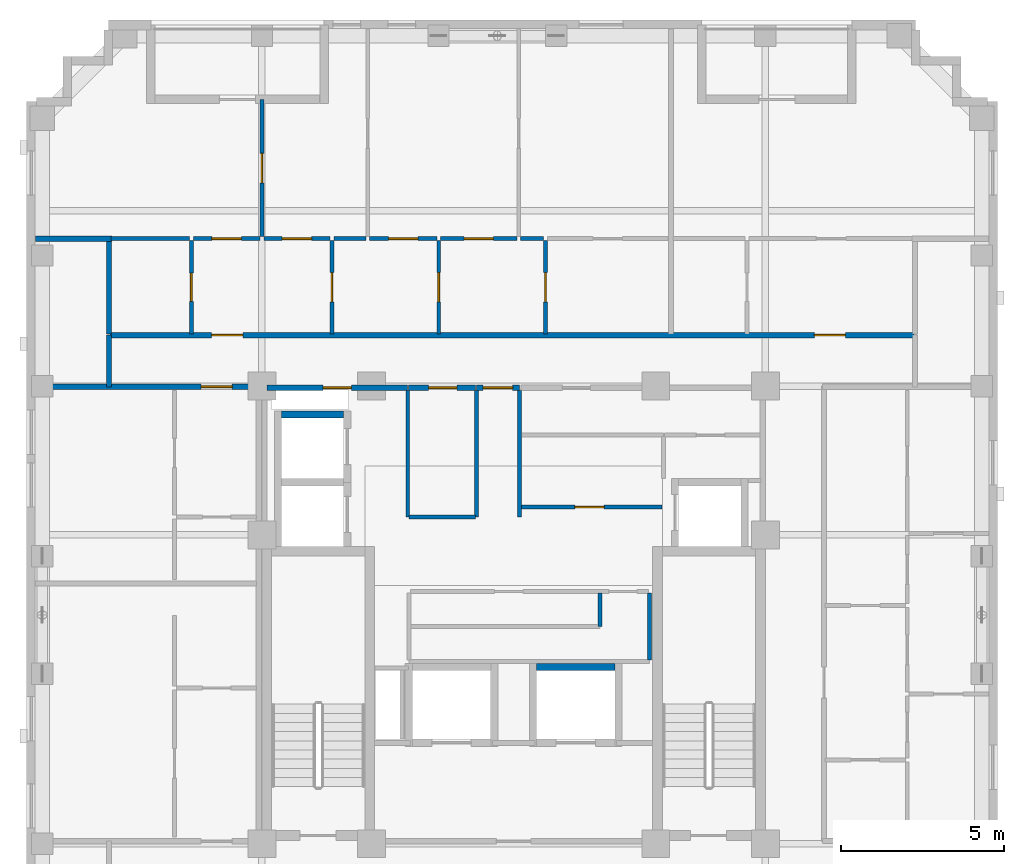
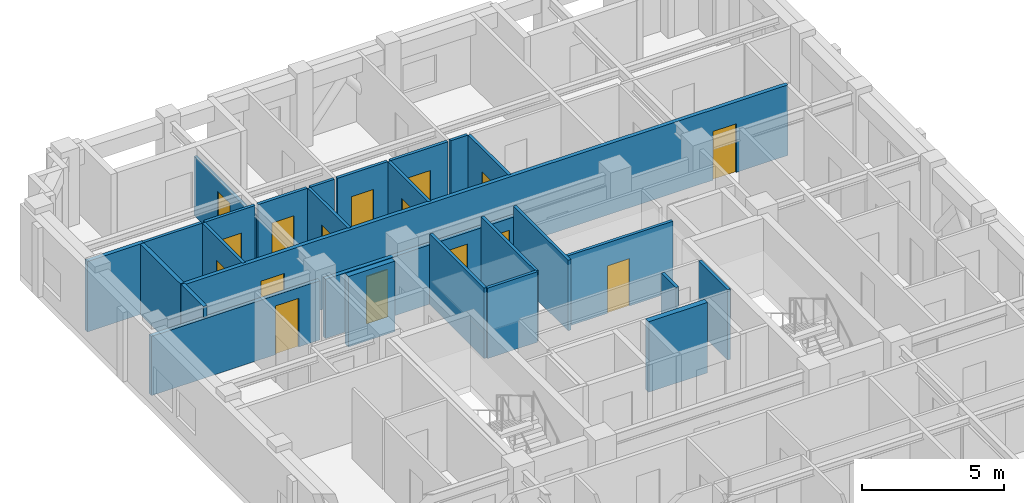
# One storey, part 5 of 10: 29 walls, 16 doors, 16 openings.
"""IFC4 building model written with IfcOpenShell, lengths in metres."""

from ifc_helpers import new_model, si_unit, derived_unit, direction, frame, frame_2d, origin, place, context, subcontext, project, spatial, rectangle, extrude, material, layer, layer_set, type_object, element, fill, save


model = new_model("IFC4")

# Units and contexts
model_context = context("Model", 3, precision=1e-05, world=origin(), true_north=direction((0.0, 1.0)))
body_context = subcontext(model_context, "Body", "Model", "MODEL_VIEW")
ifc_project = project(units=[si_unit("LENGTHUNIT", "METRE"), si_unit("AREAUNIT", "SQUARE_METRE"), si_unit("VOLUMEUNIT", "CUBIC_METRE"), si_unit("PLANEANGLEUNIT", "RADIAN"), si_unit("MASSUNIT", "GRAM", prefix="KILO"), derived_unit("THERMALTRANSMITTANCEUNIT", [(si_unit("MASSUNIT", "GRAM", prefix="KILO"), 1), (si_unit("TIMEUNIT", "SECOND"), -3), (si_unit("THERMODYNAMICTEMPERATUREUNIT", "KELVIN"), -1)])], contexts=[model_context])

# Site, building, storey
site_placement = place(None, origin())
site = spatial("IfcSite", under=ifc_project, at=site_placement, CompositionType="ELEMENT")
building_placement = place(site_placement, origin())
building = spatial("IfcBuilding", under=site, at=building_placement, Name="Korrvale Station Residences", CompositionType="ELEMENT")
storey_placement = place(building_placement, frame((0.0, 0.0, 200.800048828125)))
storey = spatial("IfcBuildingStorey", under=building, at=storey_placement, Name="L58", CompositionType="ELEMENT", Elevation=200.800048828125)

# Walls
ifc_material_1 = material(Name="Acoustic steel-stud gypsum board partition", Category="steel")
ifc_layer_1 = layer(ifc_material_1, 0.1201171875, Name="Acoustic steel-stud gypsum board partition")
ifc_layer_set_1 = layer_set([ifc_layer_1], Name="Acoustic steel-stud gypsum board partition")
wall_type_1 = type_object("IfcWallType", Name="WAL-PART-125", PredefinedType="PARTITIONING", material=ifc_layer_set_1)
for number, where, z_axis, x_axis, name in (
    (1, (24.360107421875, 25.0, 0.0), (0.0, 0.0, 1.0), (0.0, 1.0, 0.0), "L58 Core Partition CW-PSG-W"),
    (2, (25.679931640625, 25.0, 0.0), (0.0, 0.0, 1.0), (0.0, 1.0, 0.0), "L58 Core Partition CW-PSG-E"),
):
    element("IfcWall", number, at=place(storey_placement, frame(where, z_axis=z_axis, x_axis=x_axis)), inside=storey, type_object=wall_type_1, Name=name, PredefinedType="PARTITIONING", context=body_context, shape_type="SweptSolid", body=[
        extrude(rectangle(XDim=3.8701171875, YDim=0.1201171875, at=frame_2d((1.93505859375, 0.0))), origin(), (0.0, 0.0, 1.0), 3.0400390625),
    ])
wall_1_placement = place(storey_placement, frame((22.260009765625, 25.0, 0.0), z_axis=(0.0, 0.0, 1.0), x_axis=(0.0, 1.0, 0.0)))
element("IfcWall", 3, at=wall_1_placement, inside=storey, type_object=wall_type_1, Name="L58 Core Partition CW-FPLW-W", PredefinedType="PARTITIONING", context=body_context, shape_type="SweptSolid", body=[
    extrude(rectangle(XDim=3.860107421875, YDim=0.1201171875, at=frame_2d((1.93017578125, 0.0))), origin(), (0.0, 0.0, 1.0), 3.0400390625),
])
wall_2_placement = place(storey_placement, frame((22.300048828125, 25.0, 0.0), z_axis=(0.0, 0.0, 1.0), x_axis=(1.0, 0.0, 0.0)))
element("IfcWall", 4, at=wall_2_placement, inside=storey, type_object=wall_type_1, Name="L58 Core Partition CW-FPLW-S", PredefinedType="PARTITIONING", context=body_context, shape_type="SweptSolid", body=[
    extrude(rectangle(XDim=2.0400390625, YDim=0.1201171875, at=frame_2d((1.02001953125, 0.0))), origin(), (0.0, 0.0, 1.0), 3.0400390625),
])

# Wall, opening, door
wall_3_placement = place(storey_placement, frame((25.719970703125, 25.300048828125, 0.0), z_axis=(0.0, 0.0, 1.0), x_axis=(1.0, 0.0, 0.0)))
wall_3 = element("IfcWall", 5, at=wall_3_placement, inside=storey, type_object=wall_type_1, Name="L58 Core Partition CW-FPLE-S", PredefinedType="PARTITIONING", context=body_context, shape_type="SweptSolid", body=[
    extrude(rectangle(XDim=4.320068359375, YDim=0.1201171875, at=frame_2d((2.16015625, 0.0))), origin(), (0.0, 0.0, 1.0), 3.0400390625),
])
opening_1_placement = place(wall_3_placement, frame((1.64990234375, 0.0, 0.0)))
opening_1 = element("IfcOpeningElement", 6, at=opening_1_placement, cuts=wall_3, Name="Opening DI-900", PredefinedType="OPENING", context=body_context, shape_type="SweptSolid", body=[
    extrude(rectangle(XDim=0.89990234375, YDim=2.050048828125, at=frame_2d((0.449951171875, 1.02490234375))), frame((0.0, 0.070068359375, 0.0), z_axis=(0.0, -1.0, 0.0), x_axis=(1.0, 0.0, 0.0)), (0.0, 0.0, 1.0), 0.14013671875),
])
ifc_material_2 = material(Name="Painted solid-core timber interior room door", Category="wood")
door_type_1 = type_object("IfcDoorType", Name="DR-INT-900", OperationType="NOTDEFINED", PredefinedType="DOOR", material=ifc_material_2)
door_1_placement = place(opening_1_placement, origin())
door_1 = element("IfcDoor", 7, at=door_1_placement, inside=storey, type_object=door_type_1, Name="L58 Housekeeping Linen Door", OperationType="SINGLE_SWING_LEFT", OverallHeight=2.050048828125, OverallWidth=0.89990234375, PredefinedType="DOOR", context=body_context, shape_type="SweptSolid", body=[
    extrude(rectangle(XDim=0.89990234375, YDim=2.050048828125, at=frame_2d((0.449951171875, 1.02490234375))), frame((0.0, 0.02490234375, 0.0), z_axis=(0.0, -1.0, 0.0), x_axis=(1.0, 0.0, 0.0)), (0.0, 0.0, 1.0), 0.050048828125),
])
fill(opening_1, door_1)

# Walls
wall_4_placement = place(storey_placement, frame((29.659912109375, 20.6201171875, 0.0), z_axis=(0.0, 0.0, 1.0), x_axis=(0.0, 1.0, 0.0)))
element("IfcWall", 8, at=wall_4_placement, inside=storey, type_object=wall_type_1, Name="L58 Core Partition CW-FPM-E", PredefinedType="PARTITIONING", context=body_context, shape_type="SweptSolid", body=[
    extrude(rectangle(XDim=2.059814453125, YDim=0.1201171875, at=frame_2d((1.02978515625, 0.0))), origin(), (0.0, 0.0, 1.0), 3.0400390625),
])
wall_5_placement = place(storey_placement, frame((28.139892578125, 21.64990234375, 0.0), z_axis=(0.0, 0.0, 1.0), x_axis=(0.0, 1.0, 0.0)))
element("IfcWall", 9, at=wall_5_placement, inside=storey, type_object=wall_type_1, Name="L58 Core Partition CW-FPM-V1", PredefinedType="PARTITIONING", context=body_context, shape_type="SweptSolid", body=[
    extrude(rectangle(XDim=1.030029296875, YDim=0.1201171875, at=frame_2d((0.51513671875, 0.0))), origin(), (0.0, 0.0, 1.0), 3.0400390625),
])

# Wall, opening, door
wall_6_placement = place(storey_placement, frame((15.639892578125, 30.60009765625, 0.0), z_axis=(0.0, 0.0, 1.0), x_axis=(0.0, 1.0, 0.0)))
wall_6 = element("IfcWall", 10, at=wall_6_placement, inside=storey, type_object=wall_type_1, Name="L58 Suite Partition U04-V01", PredefinedType="PARTITIONING", context=body_context, shape_type="SweptSolid", body=[
    extrude(rectangle(XDim=2.849853515625, YDim=0.1201171875, at=frame_2d((1.4248046875, 0.0))), origin(), (0.0, 0.0, 1.0), 3.0400390625),
])
opening_2_placement = place(wall_6_placement, frame((0.9951171875, 0.0, 0.0)))
opening_2 = element("IfcOpeningElement", 11, at=opening_2_placement, cuts=wall_6, Name="Opening DB-860", PredefinedType="OPENING", context=body_context, shape_type="SweptSolid", body=[
    extrude(rectangle(XDim=0.860107421875, YDim=2.050048828125, at=frame_2d((0.43017578125, 1.02490234375))), frame((0.0, 0.070068359375, 0.0), z_axis=(0.0, -1.0, 0.0), x_axis=(1.0, 0.0, 0.0)), (0.0, 0.0, 1.0), 0.14013671875),
])
ifc_material_3 = material(Name="Moisture-resistant solid-core bathroom door", Category="timber")
door_type_2 = type_object("IfcDoorType", Name="DR-BATH-860", OperationType="NOTDEFINED", PredefinedType="DOOR", material=ifc_material_3)
door_2_placement = place(opening_2_placement, origin())
door_2 = element("IfcDoor", 12, at=door_2_placement, inside=storey, type_object=door_type_2, Name="L58 Apartment 2BR L58-U04 Bathroom Door", OperationType="SINGLE_SWING_LEFT", OverallHeight=2.050048828125, OverallWidth=0.860107421875, PredefinedType="DOOR", context=body_context, shape_type="SweptSolid", body=[
    extrude(rectangle(XDim=0.860107421875, YDim=2.050048828125, at=frame_2d((0.43017578125, 1.02490234375))), frame((0.0, 0.02490234375, 0.0), z_axis=(0.0, -1.0, 0.0), x_axis=(1.0, 0.0, 0.0)), (0.0, 0.0, 1.0), 0.050048828125),
])
fill(opening_2, door_2)

# Wall
wall_7_placement = place(storey_placement, frame((13.179931640625, 33.510009765625, 0.0), z_axis=(0.0, 0.0, 1.0), x_axis=(1.0, 0.0, 0.0)))
element("IfcWall", 13, at=wall_7_placement, inside=storey, type_object=wall_type_1, Name="L58 Suite Partition U04-H05", PredefinedType="PARTITIONING", context=body_context, shape_type="SweptSolid", body=[
    extrude(rectangle(XDim=2.400146484375, YDim=0.1201171875, at=frame_2d((1.2001953125, 0.0))), origin(), (0.0, 0.0, 1.0), 3.0400390625),
])

# Wall, opening, door
wall_8_placement = place(storey_placement, frame((19.93994140625, 30.60009765625, 0.0), z_axis=(0.0, 0.0, 1.0), x_axis=(0.0, 1.0, 0.0)))
wall_8 = element("IfcWall", 14, at=wall_8_placement, inside=storey, type_object=wall_type_1, Name="L58 Suite Partition U04-V12", PredefinedType="PARTITIONING", context=body_context, shape_type="SweptSolid", body=[
    extrude(rectangle(XDim=2.849853515625, YDim=0.1201171875, at=frame_2d((1.4248046875, 0.0))), origin(), (0.0, 0.0, 1.0), 3.0400390625),
])
opening_3_placement = place(wall_8_placement, frame((0.97509765625, 0.0, 0.0)))
opening_3 = element("IfcOpeningElement", 15, at=opening_3_placement, cuts=wall_8, Name="Opening DI-900", PredefinedType="OPENING", context=body_context, shape_type="SweptSolid", body=[
    extrude(rectangle(XDim=0.89990234375, YDim=2.050048828125, at=frame_2d((0.449951171875, 1.02490234375))), frame((0.0, 0.070068359375, 0.0), z_axis=(0.0, -1.0, 0.0), x_axis=(1.0, 0.0, 0.0)), (0.0, 0.0, 1.0), 0.14013671875),
])
door_3_placement = place(opening_3_placement, origin())
door_3 = element("IfcDoor", 16, at=door_3_placement, inside=storey, type_object=door_type_1, Name="L58 Apartment 2BR L58-U04 Kitchen Door", OperationType="SINGLE_SWING_RIGHT", OverallHeight=2.050048828125, OverallWidth=0.89990234375, PredefinedType="DOOR", context=body_context, shape_type="SweptSolid", body=[
    extrude(rectangle(XDim=0.89990234375, YDim=2.050048828125, at=frame_2d((0.449951171875, 1.02490234375))), frame((0.0, 0.02490234375, 0.0), z_axis=(0.0, -1.0, 0.0), x_axis=(1.0, 0.0, 0.0)), (0.0, 0.0, 1.0), 0.050048828125),
])
fill(opening_3, door_3)

wall_9_placement = place(storey_placement, frame((15.699951171875, 33.510009765625, 0.0), z_axis=(0.0, 0.0, 1.0), x_axis=(1.0, 0.0, 0.0)))
wall_9 = element("IfcWall", 17, at=wall_9_placement, inside=storey, type_object=wall_type_1, Name="L58 Suite Partition U04-H15", PredefinedType="PARTITIONING", context=body_context, shape_type="SweptSolid", body=[
    extrude(rectangle(XDim=2.0400390625, YDim=0.1201171875, at=frame_2d((1.02001953125, 0.0))), origin(), (0.0, 0.0, 1.0), 3.0400390625),
])
opening_4_placement = place(wall_9_placement, frame((0.570068359375, 0.0, 0.0)))
opening_4 = element("IfcOpeningElement", 18, at=opening_4_placement, cuts=wall_9, Name="Opening DI-900", PredefinedType="OPENING", context=body_context, shape_type="SweptSolid", body=[
    extrude(rectangle(XDim=0.89990234375, YDim=2.050048828125, at=frame_2d((0.449951171875, 1.02490234375))), frame((0.0, 0.070068359375, 0.0), z_axis=(0.0, -1.0, 0.0), x_axis=(1.0, 0.0, 0.0)), (0.0, 0.0, 1.0), 0.14013671875),
])
door_4_placement = place(opening_4_placement, origin())
door_4 = element("IfcDoor", 19, at=door_4_placement, inside=storey, type_object=door_type_1, Name="L58 Apartment 2BR L58-U04 Kitchen Door", OperationType="SINGLE_SWING_LEFT", OverallHeight=2.050048828125, OverallWidth=0.89990234375, PredefinedType="DOOR", context=body_context, shape_type="SweptSolid", body=[
    extrude(rectangle(XDim=0.89990234375, YDim=2.050048828125, at=frame_2d((0.449951171875, 1.02490234375))), frame((0.0, 0.02490234375, 0.0), z_axis=(0.0, -1.0, 0.0), x_axis=(1.0, 0.0, 0.0)), (0.0, 0.0, 1.0), 0.050048828125),
])
fill(opening_4, door_4)

wall_10_placement = place(storey_placement, frame((17.860107421875, 33.510009765625, 0.0), z_axis=(0.0, 0.0, 1.0), x_axis=(1.0, 0.0, 0.0)))
wall_10 = element("IfcWall", 20, at=wall_10_placement, inside=storey, type_object=wall_type_1, Name="L58 Suite Partition U04-H16", PredefinedType="PARTITIONING", context=body_context, shape_type="SweptSolid", body=[
    extrude(rectangle(XDim=2.019775390625, YDim=0.1201171875, at=frame_2d((1.009765625, 0.0))), origin(), (0.0, 0.0, 1.0), 3.0400390625),
])
opening_5_placement = place(wall_10_placement, frame((0.56005859375, 0.0, 0.0)))
opening_5 = element("IfcOpeningElement", 21, at=opening_5_placement, cuts=wall_10, Name="Opening DI-900", PredefinedType="OPENING", context=body_context, shape_type="SweptSolid", body=[
    extrude(rectangle(XDim=0.89990234375, YDim=2.050048828125, at=frame_2d((0.449951171875, 1.02490234375))), frame((0.0, 0.070068359375, 0.0), z_axis=(0.0, -1.0, 0.0), x_axis=(1.0, 0.0, 0.0)), (0.0, 0.0, 1.0), 0.14013671875),
])
door_5_placement = place(opening_5_placement, origin())
door_5 = element("IfcDoor", 22, at=door_5_placement, inside=storey, type_object=door_type_1, Name="L58 Apartment 2BR L58-U04 Kitchen Door", OperationType="SINGLE_SWING_RIGHT", OverallHeight=2.050048828125, OverallWidth=0.89990234375, PredefinedType="DOOR", context=body_context, shape_type="SweptSolid", body=[
    extrude(rectangle(XDim=0.89990234375, YDim=2.050048828125, at=frame_2d((0.449951171875, 1.02490234375))), frame((0.0, 0.02490234375, 0.0), z_axis=(0.0, -1.0, 0.0), x_axis=(1.0, 0.0, 0.0)), (0.0, 0.0, 1.0), 0.050048828125),
])
fill(opening_5, door_5)

wall_11_placement = place(storey_placement, frame((23.2099609375, 30.60009765625, 0.0), z_axis=(0.0, 0.0, 1.0), x_axis=(0.0, 1.0, 0.0)))
wall_11 = element("IfcWall", 23, at=wall_11_placement, inside=storey, type_object=wall_type_1, Name="L58 Suite Partition U04-V23", PredefinedType="PARTITIONING", context=body_context, shape_type="SweptSolid", body=[
    extrude(rectangle(XDim=2.849853515625, YDim=0.1201171875, at=frame_2d((1.4248046875, 0.0))), origin(), (0.0, 0.0, 1.0), 3.0400390625),
])
opening_6_placement = place(wall_11_placement, frame((0.97509765625, 0.0, 0.0)))
opening_6 = element("IfcOpeningElement", 24, at=opening_6_placement, cuts=wall_11, Name="Opening DI-900", PredefinedType="OPENING", context=body_context, shape_type="SweptSolid", body=[
    extrude(rectangle(XDim=0.89990234375, YDim=2.050048828125, at=frame_2d((0.449951171875, 1.02490234375))), frame((0.0, 0.070068359375, 0.0), z_axis=(0.0, -1.0, 0.0), x_axis=(1.0, 0.0, 0.0)), (0.0, 0.0, 1.0), 0.14013671875),
])
door_6_placement = place(opening_6_placement, origin())
door_6 = element("IfcDoor", 25, at=door_6_placement, inside=storey, type_object=door_type_1, Name="L58 Apartment 2BR L58-U04 Home Study Room Door", OperationType="SINGLE_SWING_LEFT", OverallHeight=2.050048828125, OverallWidth=0.89990234375, PredefinedType="DOOR", context=body_context, shape_type="SweptSolid", body=[
    extrude(rectangle(XDim=0.89990234375, YDim=2.050048828125, at=frame_2d((0.449951171875, 1.02490234375))), frame((0.0, 0.02490234375, 0.0), z_axis=(0.0, -1.0, 0.0), x_axis=(1.0, 0.0, 0.0)), (0.0, 0.0, 1.0), 0.050048828125),
])
fill(opening_6, door_6)

# Wall
wall_12_placement = place(storey_placement, frame((20.0, 33.510009765625, 0.0), z_axis=(0.0, 0.0, 1.0), x_axis=(1.0, 0.0, 0.0)))
element("IfcWall", 26, at=wall_12_placement, inside=storey, type_object=wall_type_1, Name="L58 Suite Partition U04-H26", PredefinedType="PARTITIONING", context=body_context, shape_type="SweptSolid", body=[
    extrude(rectangle(XDim=0.97705078125, YDim=0.1201171875, at=frame_2d((0.488525390625, 0.0))), origin(), (0.0, 0.0, 1.0), 3.0400390625),
])

# Wall, opening, door
wall_13_placement = place(storey_placement, frame((21.096923828125, 33.510009765625, 0.0), z_axis=(0.0, 0.0, 1.0), x_axis=(1.0, 0.0, 0.0)))
wall_13 = element("IfcWall", 27, at=wall_13_placement, inside=storey, type_object=wall_type_1, Name="L58 Suite Partition U04-H27", PredefinedType="PARTITIONING", context=body_context, shape_type="SweptSolid", body=[
    extrude(rectangle(XDim=2.052978515625, YDim=0.1201171875, at=frame_2d((1.0263671875, 0.0))), origin(), (0.0, 0.0, 1.0), 3.0400390625),
])
opening_7_placement = place(wall_13_placement, frame((0.575927734375, 0.0, 0.0)))
opening_7 = element("IfcOpeningElement", 28, at=opening_7_placement, cuts=wall_13, Name="Opening DI-900", PredefinedType="OPENING", context=body_context, shape_type="SweptSolid", body=[
    extrude(rectangle(XDim=0.89990234375, YDim=2.050048828125, at=frame_2d((0.449951171875, 1.02490234375))), frame((0.0, 0.070068359375, 0.0), z_axis=(0.0, -1.0, 0.0), x_axis=(1.0, 0.0, 0.0)), (0.0, 0.0, 1.0), 0.14013671875),
])
door_7_placement = place(opening_7_placement, origin())
door_7 = element("IfcDoor", 29, at=door_7_placement, inside=storey, type_object=door_type_1, Name="L58 Apartment 2BR L58-U04 Home Study Room Door", OperationType="SINGLE_SWING_RIGHT", OverallHeight=2.050048828125, OverallWidth=0.89990234375, PredefinedType="DOOR", context=body_context, shape_type="SweptSolid", body=[
    extrude(rectangle(XDim=0.89990234375, YDim=2.050048828125, at=frame_2d((0.449951171875, 1.02490234375))), frame((0.0, 0.02490234375, 0.0), z_axis=(0.0, -1.0, 0.0), x_axis=(1.0, 0.0, 0.0)), (0.0, 0.0, 1.0), 0.050048828125),
])
fill(opening_7, door_7)

wall_14_placement = place(storey_placement, frame((26.47998046875, 30.60009765625, 0.0), z_axis=(0.0, 0.0, 1.0), x_axis=(0.0, 1.0, 0.0)))
wall_14 = element("IfcWall", 30, at=wall_14_placement, inside=storey, type_object=wall_type_1, Name="L58 Suite Partition U04-V34", PredefinedType="PARTITIONING", context=body_context, shape_type="SweptSolid", body=[
    extrude(rectangle(XDim=2.849853515625, YDim=0.1201171875, at=frame_2d((1.4248046875, 0.0))), origin(), (0.0, 0.0, 1.0), 3.0400390625),
])
opening_8_placement = place(wall_14_placement, frame((0.97509765625, 0.0, 0.0)))
opening_8 = element("IfcOpeningElement", 31, at=opening_8_placement, cuts=wall_14, Name="Opening DI-900", PredefinedType="OPENING", context=body_context, shape_type="SweptSolid", body=[
    extrude(rectangle(XDim=0.89990234375, YDim=2.050048828125, at=frame_2d((0.449951171875, 1.02490234375))), frame((0.0, 0.070068359375, 0.0), z_axis=(0.0, -1.0, 0.0), x_axis=(1.0, 0.0, 0.0)), (0.0, 0.0, 1.0), 0.14013671875),
])
door_8_placement = place(opening_8_placement, origin())
door_8 = element("IfcDoor", 32, at=door_8_placement, inside=storey, type_object=door_type_1, Name="L58 Apartment 2BR L58-U04 Home Study Room Door", OperationType="SINGLE_SWING_LEFT", OverallHeight=2.050048828125, OverallWidth=0.89990234375, PredefinedType="DOOR", context=body_context, shape_type="SweptSolid", body=[
    extrude(rectangle(XDim=0.89990234375, YDim=2.050048828125, at=frame_2d((0.449951171875, 1.02490234375))), frame((0.0, 0.02490234375, 0.0), z_axis=(0.0, -1.0, 0.0), x_axis=(1.0, 0.0, 0.0)), (0.0, 0.0, 1.0), 0.050048828125),
])
fill(opening_8, door_8)

wall_15_placement = place(storey_placement, frame((23.27001953125, 33.510009765625, 0.0), z_axis=(0.0, 0.0, 1.0), x_axis=(1.0, 0.0, 0.0)))
wall_15 = element("IfcWall", 33, at=wall_15_placement, inside=storey, type_object=wall_type_1, Name="L58 Suite Partition U04-H37", PredefinedType="PARTITIONING", context=body_context, shape_type="SweptSolid", body=[
    extrude(rectangle(XDim=2.326904296875, YDim=0.1201171875, at=frame_2d((1.16357421875, 0.0))), origin(), (0.0, 0.0, 1.0), 3.0400390625),
])
opening_9_placement = place(wall_15_placement, frame((0.714111328125, 0.0, 0.0)))
opening_9 = element("IfcOpeningElement", 34, at=opening_9_placement, cuts=wall_15, Name="Opening DI-900", PredefinedType="OPENING", context=body_context, shape_type="SweptSolid", body=[
    extrude(rectangle(XDim=0.89990234375, YDim=2.050048828125, at=frame_2d((0.449951171875, 1.02490234375))), frame((0.0, 0.070068359375, 0.0), z_axis=(0.0, -1.0, 0.0), x_axis=(1.0, 0.0, 0.0)), (0.0, 0.0, 1.0), 0.14013671875),
])
door_9_placement = place(opening_9_placement, origin())
door_9 = element("IfcDoor", 35, at=door_9_placement, inside=storey, type_object=door_type_1, Name="L58 Apartment 2BR L58-U04 Home Study Room Door", OperationType="SINGLE_SWING_RIGHT", OverallHeight=2.050048828125, OverallWidth=0.89990234375, PredefinedType="DOOR", context=body_context, shape_type="SweptSolid", body=[
    extrude(rectangle(XDim=0.89990234375, YDim=2.050048828125, at=frame_2d((0.449951171875, 1.02490234375))), frame((0.0, 0.02490234375, 0.0), z_axis=(0.0, -1.0, 0.0), x_axis=(1.0, 0.0, 0.0)), (0.0, 0.0, 1.0), 0.050048828125),
])
fill(opening_9, door_9)

# Wall
wall_16_placement = place(storey_placement, frame((25.717041015625, 33.510009765625, 0.0), z_axis=(0.0, 0.0, 1.0), x_axis=(1.0, 0.0, 0.0)))
element("IfcWall", 36, at=wall_16_placement, inside=storey, type_object=wall_type_1, Name="L58 Suite Partition U04-H38", PredefinedType="PARTITIONING", context=body_context, shape_type="SweptSolid", body=[
    extrude(rectangle(XDim=0.702880859375, YDim=0.1201171875, at=frame_2d((0.3515625, 0.0))), origin(), (0.0, 0.0, 1.0), 3.0400390625),
])

# Wall, opening, door
wall_17_placement = place(storey_placement, frame((17.800048828125, 33.570068359375, 0.0), z_axis=(0.0, 0.0, 1.0), x_axis=(0.0, 1.0, 0.0)))
wall_17 = element("IfcWall", 37, at=wall_17_placement, inside=storey, type_object=wall_type_1, Name="L58 Suite Partition U04-V56", PredefinedType="PARTITIONING", context=body_context, shape_type="SweptSolid", body=[
    extrude(rectangle(XDim=4.199951171875, YDim=0.1201171875, at=frame_2d((2.10009765625, 0.0))), origin(), (0.0, 0.0, 1.0), 2.555908203125),
])
opening_10_placement = place(wall_17_placement, frame((1.64990234375, 0.0, 0.0)))
opening_10 = element("IfcOpeningElement", 38, at=opening_10_placement, cuts=wall_17, Name="Opening DI-900", PredefinedType="OPENING", context=body_context, shape_type="SweptSolid", body=[
    extrude(rectangle(XDim=0.89990234375, YDim=2.050048828125, at=frame_2d((0.449951171875, 1.02490234375))), frame((0.0, 0.070068359375, 0.0), z_axis=(0.0, -1.0, 0.0), x_axis=(1.0, 0.0, 0.0)), (0.0, 0.0, 1.0), 0.14013671875),
])
door_10_placement = place(opening_10_placement, origin())
door_10 = element("IfcDoor", 39, at=door_10_placement, inside=storey, type_object=door_type_1, Name="L58 Apartment 2BR L58-U04 Living and Dining Room Door", OperationType="SINGLE_SWING_RIGHT", OverallHeight=2.050048828125, OverallWidth=0.89990234375, PredefinedType="DOOR", context=body_context, shape_type="SweptSolid", body=[
    extrude(rectangle(XDim=0.89990234375, YDim=2.050048828125, at=frame_2d((0.449951171875, 1.02490234375))), frame((0.0, 0.02490234375, 0.0), z_axis=(0.0, -1.0, 0.0), x_axis=(1.0, 0.0, 0.0)), (0.0, 0.0, 1.0), 0.050048828125),
])
fill(opening_10, door_10)

ifc_material_4 = material(Name="Fire-rated twin-stud gypsum and mineral wool shaftwall assembly", Category="gypsum")
ifc_layer_2 = layer(ifc_material_4, 0.159912109375, Name="Fire-rated twin-stud gypsum and mineral wool shaftwall assembly")
ifc_layer_set_2 = layer_set([ifc_layer_2], Name="Fire-rated twin-stud gypsum and mineral wool shaftwall assembly")
wall_type_2 = type_object("IfcWallType", Name="WAL-PART-200", PredefinedType="PARTITIONING", material=ifc_layer_set_2)
wall_18_placement = place(storey_placement, frame((24.360107421875, 28.949951171875, 0.0), z_axis=(0.0, 0.0, 1.0), x_axis=(1.0, 0.0, 0.0)))
wall_18 = element("IfcWall", 40, at=wall_18_placement, inside=storey, type_object=wall_type_2, Name="L58 Core Partition CW-LLOB-N", PredefinedType="PARTITIONING", context=body_context, shape_type="SweptSolid", body=[
    extrude(rectangle(XDim=1.31982421875, YDim=0.159912109375, at=frame_2d((0.659912109375, 0.0))), origin(), (0.0, 0.0, 1.0), 2.555908203125),
])
opening_11_placement = place(wall_18_placement, frame((0.2099609375, 0.0, 0.0)))
opening_11 = element("IfcOpeningElement", 41, at=opening_11_placement, cuts=wall_18, Name="Opening DI-900", PredefinedType="OPENING", context=body_context, shape_type="SweptSolid", body=[
    extrude(rectangle(XDim=0.89990234375, YDim=2.050048828125, at=frame_2d((0.449951171875, 1.02490234375))), frame((0.0, 0.08984375, 0.0), z_axis=(0.0, -1.0, 0.0), x_axis=(1.0, 0.0, 0.0)), (0.0, 0.0, 1.0), 0.179931640625),
])
door_11_placement = place(opening_11_placement, origin())
door_11 = element("IfcDoor", 42, at=door_11_placement, inside=storey, type_object=door_type_1, Name="L58 Central Hallway North Passage Door", OperationType="SINGLE_SWING_LEFT", OverallHeight=2.050048828125, OverallWidth=0.89990234375, PredefinedType="DOOR", context=body_context, shape_type="SweptSolid", body=[
    extrude(rectangle(XDim=0.89990234375, YDim=2.050048828125, at=frame_2d((0.449951171875, 1.02490234375))), frame((0.0, 0.02490234375, 0.0), z_axis=(0.0, -1.0, 0.0), x_axis=(1.0, 0.0, 0.0)), (0.0, 0.0, 1.0), 0.050048828125),
])
fill(opening_11, door_11)

wall_19_placement = place(storey_placement, frame((17.9599609375, 28.949951171875, 0.0), z_axis=(0.0, 0.0, 1.0), x_axis=(1.0, 0.0, 0.0)))
wall_19 = element("IfcWall", 43, at=wall_19_placement, inside=storey, type_object=wall_type_2, Name="L58 Core Partition CW-NW", PredefinedType="PARTITIONING", context=body_context, shape_type="SweptSolid", body=[
    extrude(rectangle(XDim=4.2900390625, YDim=0.159912109375, at=frame_2d((2.14501953125, 0.0))), origin(), (0.0, 0.0, 1.0), 2.555908203125),
])
opening_12_placement = place(wall_19_placement, frame((1.715087890625, 0.0, 0.0)))
opening_12 = element("IfcOpeningElement", 44, at=opening_12_placement, cuts=wall_19, Name="Opening DB-860", PredefinedType="OPENING", context=body_context, shape_type="SweptSolid", body=[
    extrude(rectangle(XDim=0.860107421875, YDim=2.050048828125, at=frame_2d((0.43017578125, 1.02490234375))), frame((0.0, 0.08984375, 0.0), z_axis=(0.0, -1.0, 0.0), x_axis=(1.0, 0.0, 0.0)), (0.0, 0.0, 1.0), 0.179931640625),
])
door_12_placement = place(opening_12_placement, origin())
door_12 = element("IfcDoor", 45, at=door_12_placement, inside=storey, type_object=door_type_2, Name="L58 Electrical Riser Access Door", OperationType="SINGLE_SWING_RIGHT", OverallHeight=2.050048828125, OverallWidth=0.860107421875, PredefinedType="DOOR", context=body_context, shape_type="SweptSolid", body=[
    extrude(rectangle(XDim=0.860107421875, YDim=2.050048828125, at=frame_2d((0.43017578125, 1.02490234375))), frame((0.0, 0.02490234375, 0.0), z_axis=(0.0, -1.0, 0.0), x_axis=(1.0, 0.0, 0.0)), (0.0, 0.0, 1.0), 0.050048828125),
])
fill(opening_12, door_12)

wall_20_placement = place(storey_placement, frame((22.280029296875, 28.949951171875, 0.0), z_axis=(0.0, 0.0, 1.0), x_axis=(1.0, 0.0, 0.0)))
wall_20 = element("IfcWall", 46, at=wall_20_placement, inside=storey, type_object=wall_type_2, Name="L58 Core Partition CW-FPLW-N", PredefinedType="PARTITIONING", context=body_context, shape_type="SweptSolid", body=[
    extrude(rectangle(XDim=2.06005859375, YDim=0.159912109375, at=frame_2d((1.030029296875, 0.0))), origin(), (0.0, 0.0, 1.0), 2.555908203125),
])
opening_13_placement = place(wall_20_placement, frame((0.6201171875, 0.0, 0.0)))
opening_13 = element("IfcOpeningElement", 47, at=opening_13_placement, cuts=wall_20, Name="Opening DB-860", PredefinedType="OPENING", context=body_context, shape_type="SweptSolid", body=[
    extrude(rectangle(XDim=0.860107421875, YDim=2.050048828125, at=frame_2d((0.43017578125, 1.02490234375))), frame((0.0, 0.08984375, 0.0), z_axis=(0.0, -1.0, 0.0), x_axis=(1.0, 0.0, 0.0)), (0.0, 0.0, 1.0), 0.179931640625),
])
door_13_placement = place(opening_13_placement, origin())
door_13 = element("IfcDoor", 48, at=door_13_placement, inside=storey, type_object=door_type_2, Name="L58 Resident Parcel Room Door", OperationType="SINGLE_SWING_RIGHT", OverallHeight=2.050048828125, OverallWidth=0.860107421875, PredefinedType="DOOR", context=body_context, shape_type="SweptSolid", body=[
    extrude(rectangle(XDim=0.860107421875, YDim=2.050048828125, at=frame_2d((0.43017578125, 1.02490234375))), frame((0.0, 0.02490234375, 0.0), z_axis=(0.0, -1.0, 0.0), x_axis=(1.0, 0.0, 0.0)), (0.0, 0.0, 1.0), 0.050048828125),
])
fill(opening_13, door_13)

# Walls
wall_21_placement = place(storey_placement, frame((13.1201171875, 28.97998046875, 0.0), z_axis=(0.0, 0.0, 1.0), x_axis=(0.0, 1.0, 0.0)))
element("IfcWall", 49, at=wall_21_placement, inside=storey, type_object=wall_type_2, Name="L58 Corridor North West Cap", PredefinedType="PARTITIONING", context=body_context, shape_type="SweptSolid", body=[
    extrude(rectangle(XDim=1.580078125, YDim=0.159912109375, at=frame_2d((0.7900390625, 0.0))), origin(), (0.0, 0.0, 1.0), 3.0400390625),
])
wall_22_placement = place(storey_placement, frame((10.8798828125, 33.510009765625, 0.0), z_axis=(0.0, 0.0, 1.0), x_axis=(1.0, 0.0, 0.0)))
element("IfcWall", 50, at=wall_22_placement, inside=storey, type_object=wall_type_2, Name="L58 Corner Step Wall U04-L", PredefinedType="PARTITIONING", context=body_context, shape_type="SweptSolid", body=[
    extrude(rectangle(XDim=2.340087890625, YDim=0.159912109375, at=frame_2d((1.169921875, 0.0))), origin(), (0.0, 0.0, 1.0), 3.0400390625),
])
wall_23_placement = place(storey_placement, frame((13.1201171875, 30.60009765625, 0.0), z_axis=(0.0, 0.0, 1.0), x_axis=(0.0, 1.0, 0.0)))
element("IfcWall", 51, at=wall_23_placement, inside=storey, type_object=wall_type_2, Name="L58 Corner Step Cheek U04-L", PredefinedType="PARTITIONING", context=body_context, shape_type="SweptSolid", body=[
    extrude(rectangle(XDim=2.909912109375, YDim=0.159912109375, at=frame_2d((1.455078125, 0.0))), origin(), (0.0, 0.0, 1.0), 3.0400390625),
])

# Wall, opening, door
wall_24_placement = place(storey_placement, frame((10.8798828125, 28.97998046875, 0.0), z_axis=(0.0, 0.0, 1.0), x_axis=(1.0, 0.0, 0.0)))
wall_24 = element("IfcWall", 52, at=wall_24_placement, inside=storey, type_object=wall_type_2, Name="L58 Side Suite North Entry Wall U07", PredefinedType="PARTITIONING", context=body_context, shape_type="SweptSolid", body=[
    extrude(rectangle(XDim=6.880126953125, YDim=0.159912109375, at=frame_2d((3.43994140625, 0.0))), origin(), (0.0, 0.0, 1.0), 2.555908203125),
])
opening_14_placement = place(wall_24_placement, frame((5.06005859375, 0.0, 0.0)))
opening_14 = element("IfcOpeningElement", 53, at=opening_14_placement, cuts=wall_24, Name="Opening UD-950", PredefinedType="OPENING", context=body_context, shape_type="SweptSolid", body=[
    extrude(rectangle(XDim=0.949951171875, YDim=2.10009765625, at=frame_2d((0.47509765625, 1.050048828125))), frame((0.0, 0.08984375, 0.0), z_axis=(0.0, -1.0, 0.0), x_axis=(1.0, 0.0, 0.0)), (0.0, 0.0, 1.0), 0.179931640625),
])
ifc_material_5 = material(Name="Solid-core acoustic oak apartment entrance door", Category="timber")
door_type_3 = type_object("IfcDoorType", Name="DR-UNIT-950", OperationType="NOTDEFINED", PredefinedType="DOOR", material=ifc_material_5)
door_14_placement = place(opening_14_placement, origin())
door_14 = element("IfcDoor", 54, at=door_14_placement, inside=storey, type_object=door_type_3, Name="L58 Apartment L58-U07 Entrance Door", OperationType="SINGLE_SWING_RIGHT", OverallHeight=2.10009765625, OverallWidth=0.949951171875, PredefinedType="DOOR", context=body_context, shape_type="SweptSolid", body=[
    extrude(rectangle(XDim=0.949951171875, YDim=2.10009765625, at=frame_2d((0.47509765625, 1.050048828125))), frame((0.0, 0.02490234375, 0.0), z_axis=(0.0, -1.0, 0.0), x_axis=(1.0, 0.0, 0.0)), (0.0, 0.0, 1.0), 0.050048828125),
])
fill(opening_14, door_14)

# Wall, openings, doors
wall_25_placement = place(storey_placement, frame((13.14990234375, 30.56005859375, 0.0), z_axis=(0.0, 0.0, 1.0), x_axis=(1.0, 0.0, 0.0)))
wall_25 = element("IfcWall", 55, at=wall_25_placement, inside=storey, type_object=wall_type_2, Name="L58 Rated Corridor Wall N", PredefinedType="PARTITIONING", context=body_context, shape_type="SweptSolid", body=[
    extrude(rectangle(XDim=24.60009765625, YDim=0.159912109375, at=frame_2d((12.300048828125, 0.0))), origin(), (0.0, 0.0, 1.0), 3.0400390625),
])
opening_15_placement = place(wall_25_placement, frame((3.114990234375, 0.0, 0.0)))
opening_15 = element("IfcOpeningElement", 56, at=opening_15_placement, cuts=wall_25, Name="Opening UD-950", PredefinedType="OPENING", context=body_context, shape_type="SweptSolid", body=[
    extrude(rectangle(XDim=0.949951171875, YDim=2.10009765625, at=frame_2d((0.47509765625, 1.050048828125))), frame((0.0, 0.08984375, 0.0), z_axis=(0.0, -1.0, 0.0), x_axis=(1.0, 0.0, 0.0)), (0.0, 0.0, 1.0), 0.179931640625),
])
opening_16_placement = place(wall_25_placement, frame((21.550048828125, 0.0, 0.0)))
opening_16 = element("IfcOpeningElement", 57, at=opening_16_placement, cuts=wall_25, Name="Opening UD-950", PredefinedType="OPENING", context=body_context, shape_type="SweptSolid", body=[
    extrude(rectangle(XDim=0.949951171875, YDim=2.10009765625, at=frame_2d((0.47509765625, 1.050048828125))), frame((0.0, 0.08984375, 0.0), z_axis=(0.0, -1.0, 0.0), x_axis=(1.0, 0.0, 0.0)), (0.0, 0.0, 1.0), 0.179931640625),
])
door_15_placement = place(opening_15_placement, origin())
door_15 = element("IfcDoor", 58, at=door_15_placement, inside=storey, type_object=door_type_3, Name="L58 Apartment L58-U04 Entrance Door", OperationType="SINGLE_SWING_RIGHT", OverallHeight=2.10009765625, OverallWidth=0.949951171875, PredefinedType="DOOR", context=body_context, shape_type="SweptSolid", body=[
    extrude(rectangle(XDim=0.949951171875, YDim=2.10009765625, at=frame_2d((0.47509765625, 1.050048828125))), frame((0.0, 0.02490234375, 0.0), z_axis=(0.0, -1.0, 0.0), x_axis=(1.0, 0.0, 0.0)), (0.0, 0.0, 1.0), 0.050048828125),
])
fill(opening_15, door_15)
door_16_placement = place(opening_16_placement, origin())
door_16 = element("IfcDoor", 59, at=door_16_placement, inside=storey, type_object=door_type_3, Name="L58 Apartment L58-U05 Entrance Door", OperationType="SINGLE_SWING_LEFT", OverallHeight=2.10009765625, OverallWidth=0.949951171875, PredefinedType="DOOR", context=body_context, shape_type="SweptSolid", body=[
    extrude(rectangle(XDim=0.949951171875, YDim=2.10009765625, at=frame_2d((0.47509765625, 1.050048828125))), frame((0.0, 0.02490234375, 0.0), z_axis=(0.0, -1.0, 0.0), x_axis=(1.0, 0.0, 0.0)), (0.0, 0.0, 1.0), 0.050048828125),
])
fill(opening_16, door_16)

# Walls
ifc_material_6 = material(Name="Concrete C50/60", Category="concrete")
ifc_layer_3 = layer(ifc_material_6, 0.219970703125, Name="Concrete C50/60")
ifc_layer_set_3 = layer_set([ifc_layer_3], Name="Concrete C50/60")
wall_type_3 = type_object("IfcWallType", Name="WAL-SHAFT-220-C50", PredefinedType="SHEAR", material=ifc_layer_set_3)
wall_26_placement = place(storey_placement, frame((18.39990234375, 28.1298828125, 0.0), z_axis=(0.0, 0.0, 1.0), x_axis=(1.0, 0.0, 0.0)))
element("IfcWall", 60, at=wall_26_placement, inside=storey, type_object=wall_type_3, Name="L58 Elevator PH-2 Hoistway Wall North", PredefinedType="SHEAR", context=body_context, shape_type="SweptSolid", body=[
    extrude(rectangle(XDim=1.900146484375, YDim=0.219970703125, at=frame_2d((0.9501953125, 0.0))), origin(), (0.0, 0.0, 1.0), 3.0400390625),
])
wall_27_placement = place(storey_placement, frame((26.199951171875, 20.409912109375, 0.0), z_axis=(0.0, 0.0, 1.0), x_axis=(1.0, 0.0, 0.0)))
element("IfcWall", 61, at=wall_27_placement, inside=storey, type_object=wall_type_3, Name="L58 Elevator FFL-2 Hoistway Wall North", PredefinedType="SHEAR", context=body_context, shape_type="SweptSolid", body=[
    extrude(rectangle(XDim=2.400146484375, YDim=0.219970703125, at=frame_2d((1.2001953125, 0.0))), origin(), (0.0, 0.0, 1.0), 3.0400390625),
])

save(model, "model.ifc")
